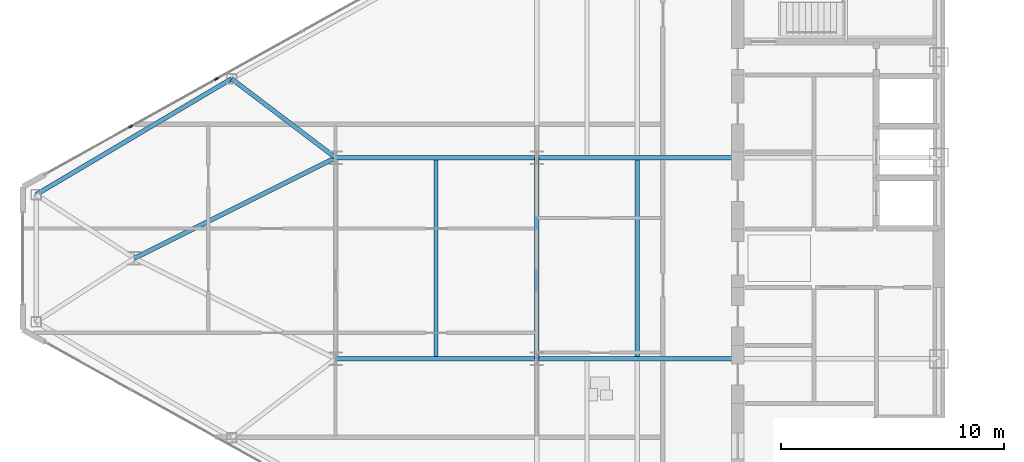
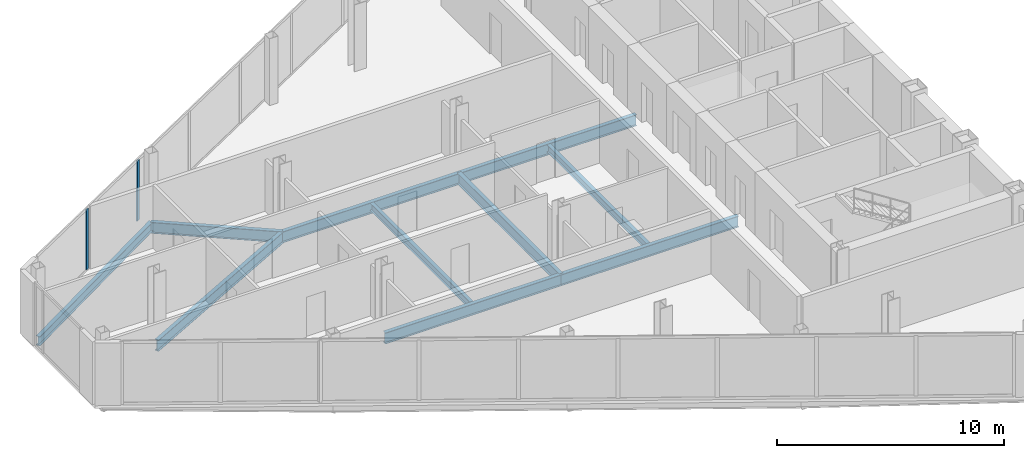
# One storey, part 6 of 26: 10 beams, 2 members, 1 element without a shape of its own.
"""IFC4 building model written with IfcOpenShell, lengths in metres."""

from ifc_helpers import new_model, si_unit, direction, frame, origin, origin_2d, place, context, subcontext, project, spatial, rectangle, i_section, extrude, source, transform, mapped, material, layer, layer_set, material_profile, profile_set, type_object, type_shapes, element, aggregate, save


model = new_model("IFC4")

# Units and contexts
model_context = context("Model", 3, precision=1e-05, world=origin(), true_north=direction((0.0, 1.0)))
body_context = subcontext(model_context, "Body", "Model", "MODEL_VIEW")
ifc_project = project(units=[si_unit("LENGTHUNIT", "METRE"), si_unit("AREAUNIT", "SQUARE_METRE"), si_unit("VOLUMEUNIT", "CUBIC_METRE"), si_unit("PLANEANGLEUNIT", "RADIAN"), si_unit("MASSUNIT", "GRAM", prefix="KILO")], contexts=[model_context])

# Site, building, storey
site_placement = place(None, origin())
site = spatial("IfcSite", under=ifc_project, at=site_placement, CompositionType="ELEMENT")
building_placement = place(site_placement, origin())
building = spatial("IfcBuilding", under=site, at=building_placement, Name="Seokmaru Belvedere", CompositionType="ELEMENT")
storey_placement = place(building_placement, frame((0.0, 0.0, 167.10009765625)))
storey = spatial("IfcBuildingStorey", under=building, at=storey_placement, Name="L44", CompositionType="ELEMENT", Elevation=167.10009765625)

# Beams
ifc_material_1 = material(Name="Steel SM355 (355 MPa)", Category="steel")
ifc_material_profile_1 = material_profile(ifc_material_1, i_section(OverallWidth=0.199951171875, OverallDepth=0.60009765625, WebThickness=0.010986328125, FlangeThickness=0.01708984375, at=origin_2d()), Name="H-600x200x11x17")
ifc_profile_set_1 = profile_set([ifc_material_profile_1], Name="Steel SM355 (355 MPa)")
beam_type_1 = type_object("IfcBeamType", Name="Primary Floor Girder H-600", PredefinedType="BEAM", material=ifc_profile_set_1)
shared_shape_1 = source(origin(), body_context, "Body", "SweptSolid", [
    extrude(i_section(OverallWidth=0.199951171875, OverallDepth=0.60009765625, WebThickness=0.010986328125, FlangeThickness=0.01708984375, at=origin_2d()), origin(), (0.0, 0.0, 1.0), 9.0),
])
for number, where, z_axis, x_axis, name in (
    (1, (-45.5, -4.5, -0.52001953125), (0.0, 1.0, 0.0), (-1.0, 0.0, 0.0), "L44 W Interior Grid Girder 2"),
    (2, (-45.5, -4.5, -0.52001953125), (1.0, 0.0, 0.0), (0.0, 1.0, 0.0), "L44 W Wing Primary Girder 2"),
    (3, (-45.5, 4.5, -0.52001953125), (1.0, 0.0, 0.0), (0.0, 1.0, 0.0), "L44 W Wing Primary Girder 3"),
    (4, (-54.5, -4.5, -0.52001953125), (1.0, 0.0, 0.0), (0.0, 1.0, 0.0), "L44 W Outer Wing Girder 1"),
    (5, (-54.5, 4.5, -0.52001953125), (1.0, 0.0, 0.0), (0.0, 1.0, 0.0), "L44 W Outer Wing Girder 2"),
):
    element("IfcBeam", number, at=place(storey_placement, frame(where, z_axis=z_axis, x_axis=x_axis)), inside=storey, type_object=beam_type_1, Name=name, PredefinedType="BEAM", context=body_context, shape_type="MappedRepresentation", body=[
        mapped(shared_shape_1, transform((0.0, 0.0, 0.0), scale=1.0)),
    ])
shared_shape_2 = source(origin(), body_context, "Body", "SweptSolid", [
    extrude(i_section(OverallWidth=0.199951171875, OverallDepth=0.60009765625, WebThickness=0.010986328125, FlangeThickness=0.01708984375, at=origin_2d()), origin(), (0.0, 0.0, 1.0), 10.062255859375),
])
beam_1_placement = place(storey_placement, frame((-54.5, 4.5, -0.52001953125), z_axis=(-0.894427191, -0.4472135955, 0.0), x_axis=(0.4472135955, -0.894427191, 0.0)))
element("IfcBeam", 6, at=beam_1_placement, inside=storey, type_object=beam_type_1, Name="L44 W Apex Converging Girder 2", PredefinedType="BEAM", context=body_context, shape_type="MappedRepresentation", body=[
    mapped(shared_shape_2, transform((0.0, 0.0, 0.0), scale=1.0)),
])
ifc_material_profile_2 = material_profile(ifc_material_1, i_section(OverallWidth=0.18505859375, OverallDepth=0.389892578125, WebThickness=0.008056640625, FlangeThickness=0.011962890625, at=origin_2d()), Name="H-390x185x8x12")
ifc_profile_set_2 = profile_set([ifc_material_profile_2], Name="Steel SM355 (355 MPa)")
beam_type_2 = type_object("IfcBeamType", Name="Secondary Floor Joist H-350", PredefinedType="JOIST", material=ifc_profile_set_2)
shared_shape_3 = source(origin(), body_context, "Body", "SweptSolid", [
    extrude(i_section(OverallWidth=0.18505859375, OverallDepth=0.389892578125, WebThickness=0.008056640625, FlangeThickness=0.011962890625, at=origin_2d()), origin(), (0.0, 0.0, 1.0), 8.7900390625),
])
type_shapes(beam_type_2, [shared_shape_3])
for number, where, z_axis, x_axis, name in (
    (7, (-41.0, -4.39501953125, -0.4150390625), (0.0, 1.0, 0.0), (-1.0, 0.0, 0.0), "L44 W Secondary Floor Joist 2"),
    (8, (-50.0, -4.39501953125, -0.4150390625), (0.0, 1.0, 0.0), (-1.0, 0.0, 0.0), "L44 W Outer Bay Secondary Joist"),
):
    element("IfcBeam", number, at=place(storey_placement, frame(where, z_axis=z_axis, x_axis=x_axis)), inside=storey, type_object=beam_type_2, Name=name, PredefinedType="JOIST", context=body_context, shape_type="MappedRepresentation", body=[
        mapped(shared_shape_3, transform((0.0, 0.0, 0.0), scale=1.0)),
    ])
ifc_material_profile_3 = material_profile(ifc_material_1, i_section(OverallWidth=0.199951171875, OverallDepth=0.5, WebThickness=0.010009765625, FlangeThickness=0.01611328125, at=origin_2d()), Name="H-500x200x10x16")
ifc_profile_set_3 = profile_set([ifc_material_profile_3], Name="Steel SM355 (355 MPa)")
beam_type_3 = type_object("IfcBeamType", Name="Perimeter Spandrel Beam H-500", PredefinedType="SPANDREL", material=ifc_profile_set_3)
shared_shape_4 = source(origin(), body_context, "Body", "SweptSolid", [
    extrude(i_section(OverallWidth=0.199951171875, OverallDepth=0.5, WebThickness=0.010009765625, FlangeThickness=0.01611328125, at=origin_2d()), origin(), (0.0, 0.0, 1.0), 10.16650390625),
])
type_shapes(beam_type_3, [shared_shape_4])
beam_2_placement = place(storey_placement, frame((-59.154541015625, 8.031494140625, -0.47021484375), z_axis=(-0.860209996506, -0.509939959124, 0.0), x_axis=(0.509939959124, -0.860209996506, 0.0)))
element("IfcBeam", 9, at=beam_2_placement, inside=storey, type_object=beam_type_3, Name="L44 W Faceted Flank Spandrel N-4", PredefinedType="SPANDREL", context=body_context, shape_type="MappedRepresentation", body=[
    mapped(shared_shape_4, transform((0.0, 0.0, 0.0), scale=1.0)),
])
shared_shape_5 = source(origin(), body_context, "Body", "SweptSolid", [
    extrude(i_section(OverallWidth=0.199951171875, OverallDepth=0.60009765625, WebThickness=0.010986328125, FlangeThickness=0.01708984375, at=origin_2d()), origin(), (0.0, 0.0, 1.0), 5.842529296875),
])
type_shapes(beam_type_1, [shared_shape_1, shared_shape_2, shared_shape_5])
beam_3_placement = place(storey_placement, frame((-59.154541015625, 8.031494140625, -0.52001953125), z_axis=(0.796653109879, -0.604436781243, 0.0), x_axis=(0.604436781243, 0.796653109879, 0.0)))
element("IfcBeam", 10, at=beam_3_placement, inside=storey, type_object=beam_type_1, Name="L44 W Flank Radial Floor Girder N-3", PredefinedType="BEAM", context=body_context, shape_type="MappedRepresentation", body=[
    mapped(shared_shape_5, transform((0.0, 0.0, 0.0), scale=1.0)),
])

# Curtain wall, members
ifc_material_2 = material(Name="Bronze Triple Insulating Glass", Category="glass")
ifc_layer = layer(ifc_material_2, 0.179931640625)
ifc_layer_set = layer_set([ifc_layer], Name="Bronze Triple Insulating Glass")
curtain_wall_type = type_object("IfcCurtainWallType", Name="High-Rise Wind-Corner Curtain Wall System CW-5", PredefinedType="NOTDEFINED", material=ifc_layer_set)
curtain_wall_placement = place(storey_placement, origin())
curtain_wall = element("IfcCurtainWall", 11, at=curtain_wall_placement, inside=storey, type_object=curtain_wall_type, Name="L44 Curtain Wall WF3", PredefinedType="NOTDEFINED")
ifc_material_3 = material(Name="Anodised Bronze Aluminium", Category="aluminium")
ifc_material_profile_4 = material_profile(ifc_material_3, rectangle(XDim=0.06494140625, YDim=0.179931640625, at=origin_2d()), Name="CW-M-65x180")
ifc_profile_set_4 = profile_set([ifc_material_profile_4], Name="Anodised Bronze Aluminium")
member_type = type_object("IfcMemberType", Name="Bronze Unitised Mullion 65x180", PredefinedType="MULLION", material=ifc_profile_set_4)
shared_shape_6 = source(origin(), body_context, "Body", "SweptSolid", [
    extrude(rectangle(XDim=0.06494140625, YDim=0.179931640625, at=origin_2d()), origin(), (0.0, 0.0, 1.0), 3.25),
])
type_shapes(member_type, [shared_shape_6])
member_1_placement = place(storey_placement, frame((-59.83056640625, 8.021728515625, 0.06494140625), z_axis=(0.0, 0.0, 1.0), x_axis=(0.486047125147, -0.873932601598, 0.0)))
member_1 = element("IfcMember", 12, at=member_1_placement, type_object=member_type, Name="CW:L44:WF3 Mullion 8", PredefinedType="MULLION", context=body_context, shape_type="MappedRepresentation", body=[
    mapped(shared_shape_6, transform((0.0, 0.0, 0.0), scale=1.0)),
])
member_2_placement = place(storey_placement, frame((-63.662841796875, 5.890380859375, 0.06494140625), z_axis=(0.0, 0.0, 1.0), x_axis=(0.486047125147, -0.873932601598, 0.0)))
member_2 = element("IfcMember", 13, at=member_2_placement, type_object=member_type, Name="CW:L44:WF3 Mullion 9", PredefinedType="MULLION", context=body_context, shape_type="MappedRepresentation", body=[
    mapped(shared_shape_6, transform((0.0, 0.0, 0.0), scale=1.0)),
])
aggregate(curtain_wall, [member_1, member_2])

save(model, "model.ifc")
